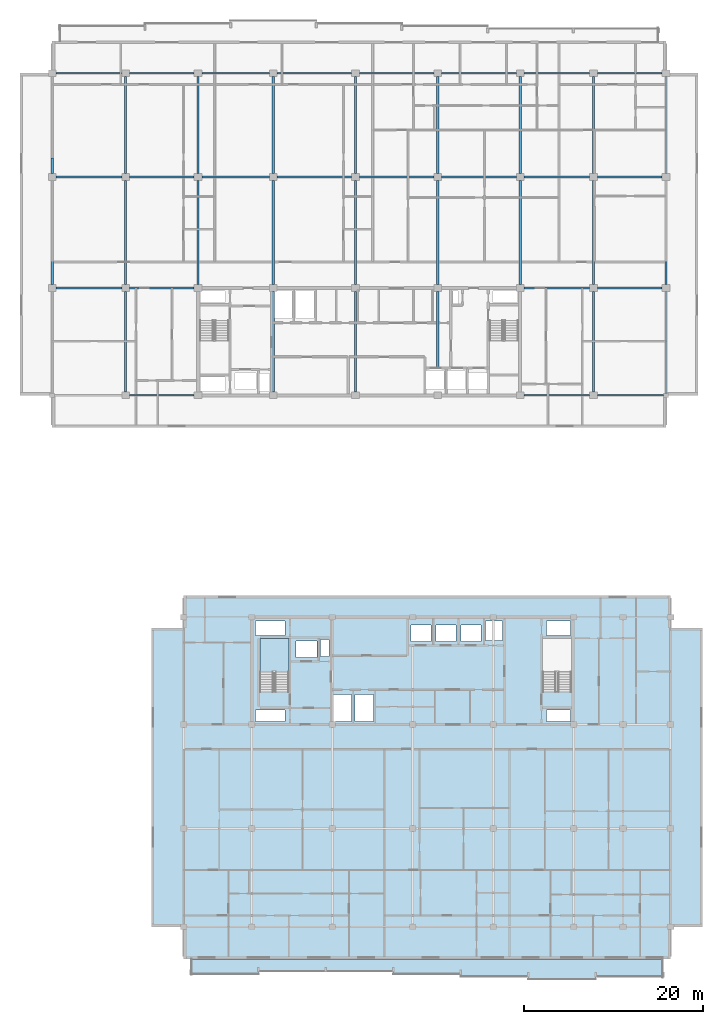
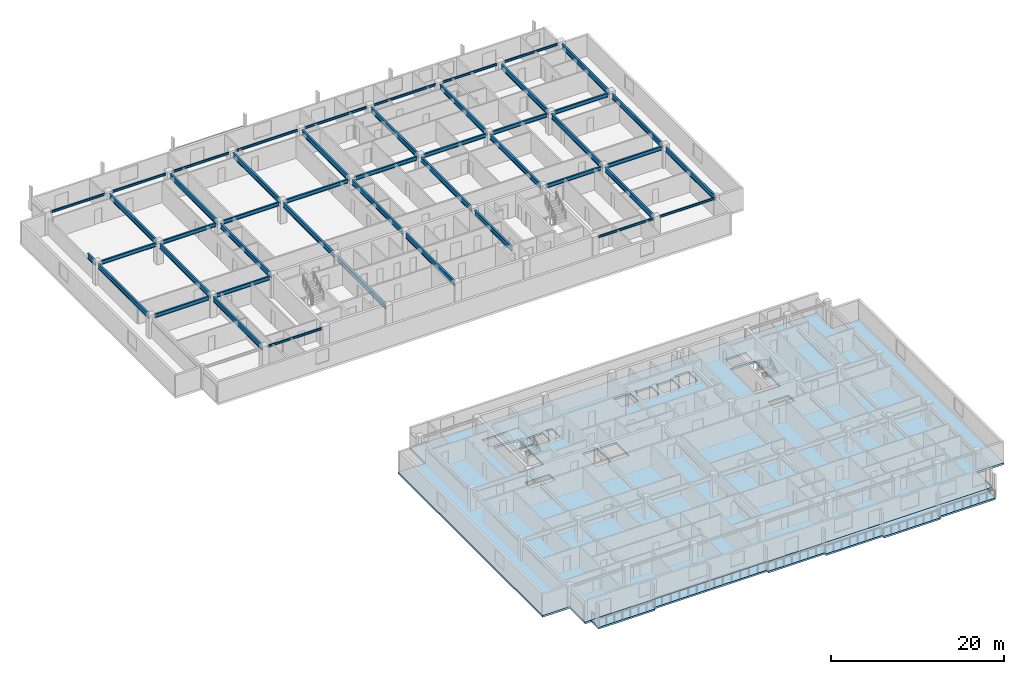
# One storey, part 2 of 22: 47 beams, 3 slabs, 1 element without a shape of its own.
"""IFC4 building model written with IfcOpenShell, lengths in metres."""

import ifcopenshell
import ifcopenshell.guid

model = None  # the IFC model being written
_history = None  # IfcOwnerHistory: only IFC2X3 demands one
_inside = {}  # id of a spatial element -> (the spatial element, [elements in it])
_under = {}  # id of a project, library or spatial element -> (it, [spatial elements below it])
_declared = {}  # id of a project -> (the project, [libraries it declares])
_typed = {}  # id of a type object -> (the type object, [elements of that type])
_made_of = {}  # id of a material, layer set ... -> (it, [elements and type objects made of it])


def new_model(schema):
    """Start an empty IFC model of exactly this schema.

    Asked for "IFC4X3", IfcOpenShell would pick the latest addendum, in which some entities
    have other attributes; the version numbers below select the first issue.
    IFC2X3 requires an IfcOwnerHistory on every rooted entity: one is made here for all.
    """
    global model, _history
    if schema == "IFC4X3":
        model = ifcopenshell.file(schema_version=(4, 3, 0, 0))
    else:
        model = ifcopenshell.file(schema=schema)
    _inside.clear()
    _under.clear()
    _declared.clear()
    _typed.clear()
    _made_of.clear()
    _history = None
    if model.schema == "IFC2X3":
        org = make("IfcOrganization", Name="unknown")
        user = make(
            "IfcPersonAndOrganization",
            ThePerson=make("IfcPerson", FamilyName="unknown"),
            TheOrganization=org,
        )
        app = make(
            "IfcApplication",
            ApplicationDeveloper=org,
            Version="unknown",
            ApplicationFullName="unknown",
            ApplicationIdentifier="unknown",
        )
        _history = make(
            "IfcOwnerHistory",
            OwningUser=user,
            OwningApplication=app,
            ChangeAction="ADDED",
            CreationDate=0,
        )
    return model


def make(cls, **values):
    """One entity of the class cls with the attributes given. An attribute that is None is left unset."""
    return model.create_entity(
        cls, **{name: value for name, value in values.items() if value is not None}
    )


def rooted(cls, **values):
    """An entity with a GlobalId (a new one), such as an element, a storey or a relation."""
    return make(cls, GlobalId=ifcopenshell.guid.new(), OwnerHistory=_history, **values)


def si_unit(unit_type, name, prefix=None):
    """IfcSIUnit, for example si_unit("LENGTHUNIT", "METRE", prefix="MILLI")."""
    return make("IfcSIUnit", UnitType=unit_type, Prefix=prefix, Name=name)


def assignment(units):
    """IfcUnitAssignment: the units of a project."""
    return None if units is None else make("IfcUnitAssignment", Units=units)


def point(xyz):
    """IfcCartesianPoint."""
    return None if xyz is None else make("IfcCartesianPoint", Coordinates=xyz)


def direction(xyz):
    """IfcDirection."""
    return None if xyz is None else make("IfcDirection", DirectionRatios=xyz)


def frame(location, z_axis=None, x_axis=None):
    """IfcAxis2Placement3D, a coordinate frame: its origin and axes. An axis left out is left unset."""
    return make(
        "IfcAxis2Placement3D",
        Location=point(location),
        Axis=direction(z_axis),
        RefDirection=direction(x_axis),
    )


def frame_2d(location, x_axis=None):
    """IfcAxis2Placement2D, a coordinate frame in the plane: its origin and x axis."""
    return make(
        "IfcAxis2Placement2D", Location=point(location), RefDirection=direction(x_axis)
    )


def origin():
    """The frame at (0, 0, 0) with its axes left unset."""
    return frame((0.0, 0.0, 0.0))


def origin_2d():
    """The frame at (0, 0) in the plane with its x axis left unset."""
    return frame_2d((0.0, 0.0))


def place(relative_to, where):
    """IfcLocalPlacement: puts the frame where relative to a parent placement (None: the world)."""
    return make(
        "IfcLocalPlacement", PlacementRelTo=relative_to, RelativePlacement=where
    )


def context(
    kind, dimensions, precision=None, world=None, true_north=None, identifier=None
):
    """IfcGeometricRepresentationContext, for example the 3D "Model" context."""
    return make(
        "IfcGeometricRepresentationContext",
        ContextIdentifier=identifier,
        ContextType=kind,
        CoordinateSpaceDimension=dimensions,
        Precision=precision,
        WorldCoordinateSystem=world,
        TrueNorth=true_north,
    )


def subcontext(parent, identifier, kind, view, scale=None):
    """IfcGeometricRepresentationSubContext, for example "Body" below "Model"."""
    return make(
        "IfcGeometricRepresentationSubContext",
        ContextIdentifier=identifier,
        ContextType=kind,
        ParentContext=parent,
        TargetScale=scale,
        TargetView=view,
    )


def project(units=None, contexts=None):
    """IfcProject with its units and contexts."""
    return rooted(
        "IfcProject",
        Name="project",
        RepresentationContexts=contexts,
        UnitsInContext=assignment(units),
    )


def spatial(cls, under=None, at=None, **own):
    """A site, building, storey or space (cls), placed at a placement, below another one or the project."""
    s = rooted(cls, ObjectPlacement=at, **own)
    if under is not None:
        _under.setdefault(under.id(), (under, []))[1].append(s)
    return s


def polyline(points):
    """IfcPolyline through the points."""
    return make("IfcPolyline", Points=[point(p) for p in points])


def profile(cls, at=None, kind="AREA", **sizes):
    """A parametric profile (cls). Its sizes go by their IFC names, for example OverallWidth=200.0."""
    return make(cls, ProfileType=kind, Position=at, **sizes)


def i_section(**sizes):
    """IfcIShapeProfileDef."""
    return profile("IfcIShapeProfileDef", **sizes)


def outline(outer, holes=None, kind="AREA"):
    """IfcArbitraryClosedProfileDef: a profile drawn as a closed curve; with holes, ...WithVoids."""
    if holes is None:
        return make("IfcArbitraryClosedProfileDef", ProfileType=kind, OuterCurve=outer)
    return make(
        "IfcArbitraryProfileDefWithVoids",
        ProfileType=kind,
        OuterCurve=outer,
        InnerCurves=holes,
    )


def extrude(swept, where, along, depth):
    """IfcExtrudedAreaSolid: the profile swept, set in the frame where, extruded along a direction by depth."""
    return make(
        "IfcExtrudedAreaSolid",
        SweptArea=swept,
        Position=where,
        ExtrudedDirection=direction(along),
        Depth=depth,
    )


def shape(context_of_items, identifier, shape_type, items):
    """IfcShapeRepresentation: the items that make up one representation, for example the "Body"."""
    return make(
        "IfcShapeRepresentation",
        ContextOfItems=context_of_items,
        RepresentationIdentifier=identifier,
        RepresentationType=shape_type,
        Items=items,
    )


def material(Name=None, Category=None):
    """IfcMaterial."""
    return make("IfcMaterial", Name=Name, Category=Category)


def layer(
    of_material, thickness, ventilated=None, Name=None, Category=None, Priority=None
):
    """IfcMaterialLayer: one layer of a wall or slab, of a material (None: an air gap)."""
    return make(
        "IfcMaterialLayer",
        Material=of_material,
        LayerThickness=thickness,
        IsVentilated=ventilated,
        Name=Name,
        Category=Category,
        Priority=Priority,
    )


def layer_set(layers, Name=None):
    """IfcMaterialLayerSet."""
    return make("IfcMaterialLayerSet", MaterialLayers=layers, LayerSetName=Name)


def material_profile(
    of_material, cross_section, Name=None, Category=None, Priority=None
):
    """IfcMaterialProfile: a cross section and its material."""
    return make(
        "IfcMaterialProfile",
        Name=Name,
        Material=of_material,
        Profile=cross_section,
        Priority=Priority,
        Category=Category,
    )


def profile_set(profiles, Name=None, composite=None):
    """IfcMaterialProfileSet."""
    return make(
        "IfcMaterialProfileSet",
        Name=Name,
        MaterialProfiles=profiles,
        CompositeProfile=composite,
    )


def made_of(thing, what):
    """Note that an element or type object is made of a material, layer set ...; save() writes the relation."""
    if what is not None:
        _made_of.setdefault(what.id(), (what, []))[1].append(thing)
    return thing


def type_object(cls, material=None, **own):
    """A type object (cls), such as IfcWallType, which elements share."""
    return made_of(rooted(cls, **own), material)


def element(
    cls,
    number,
    at=None,
    inside=None,
    cuts=None,
    type_object=None,
    material=None,
    context=None,
    identifier="Body",
    shape_type=None,
    held_by="IfcProductDefinitionShape",
    body=None,
    shapes=None,
    **own,
):
    """One element of the class cls, such as IfcWall. Its Tag is "e" and its number.

    at: its placement. inside: the storey or other place that contains it. cuts: it is an
    opening in that element (IfcRelVoidsElement). A single representation is given by context,
    identifier, shape_type and body (its items); several are given by shapes. held_by: the class
    of the entity that holds the representations. save() writes the other relations.
    """
    e = rooted(cls, Tag="e%d" % number, ObjectPlacement=at, **own)
    if body is not None:
        shapes = [shape(context, identifier, shape_type, body)]
    if shapes is not None:
        e.Representation = make(held_by, Representations=shapes)
    if inside is not None:
        _inside.setdefault(inside.id(), (inside, []))[1].append(e)
    if cuts is not None:
        rooted(
            "IfcRelVoidsElement", RelatingBuildingElement=cuts, RelatedOpeningElement=e
        )
    if type_object is not None:
        _typed.setdefault(type_object.id(), (type_object, []))[1].append(e)
    return made_of(e, material)


def aggregate(whole, parts):
    """IfcRelAggregates: a whole, such as a stair, and the parts it consists of."""
    return rooted("IfcRelAggregates", RelatingObject=whole, RelatedObjects=parts)


def save(model, path):
    """Write the relations noted so far, then the file.

    IfcRelAggregates (storeys below a building ...), IfcRelContainedInSpatialStructure (elements
    in a storey), IfcRelDefinesByType, IfcRelAssociatesMaterial and IfcRelDeclares: one each for
    every whole, place, type object, material and project.
    """
    for whole, parts in _under.values():
        aggregate(whole, parts)
    for where, things in _inside.values():
        rooted(
            "IfcRelContainedInSpatialStructure",
            RelatedElements=things,
            RelatingStructure=where,
        )
    for kind, things in _typed.values():
        rooted("IfcRelDefinesByType", RelatedObjects=things, RelatingType=kind)
    for what, things in _made_of.values():
        rooted("IfcRelAssociatesMaterial", RelatedObjects=things, RelatingMaterial=what)
    for by, libraries in _declared.values():
        rooted("IfcRelDeclares", RelatingContext=by, RelatedDefinitions=libraries)
    model.write(path)


model = new_model("IFC4")

# Units and contexts
model_context = context("Model", 3, precision=1e-05, world=origin(), true_north=direction((0.0, 1.0)))
body_context = subcontext(model_context, "Body", "Model", "MODEL_VIEW")
ifc_project = project(units=[si_unit("LENGTHUNIT", "METRE"), si_unit("AREAUNIT", "SQUARE_METRE"), si_unit("VOLUMEUNIT", "CUBIC_METRE"), si_unit("PLANEANGLEUNIT", "RADIAN"), si_unit("MASSUNIT", "GRAM", prefix="KILO")], contexts=[model_context])

# Site, building, storey
site_placement = place(None, origin())
site = spatial("IfcSite", under=ifc_project, at=site_placement, CompositionType="ELEMENT")
building_placement = place(site_placement, origin())
building = spatial("IfcBuilding", under=site, at=building_placement, Name="Korimba Cascade Residences", CompositionType="ELEMENT")
storey_placement = place(building_placement, frame((0.0, 0.0, 191.35009765625)))
storey = spatial("IfcBuildingStorey", under=building, at=storey_placement, Name="L55", CompositionType="ELEMENT", Elevation=191.35009765625)

# Beams
ifc_material_1 = material(Name="Steel S355", Category="steel")
ifc_material_profile_1 = material_profile(ifc_material_1, i_section(OverallWidth=0.165771484375, OverallDepth=0.306640625, WebThickness=0.006591796875, FlangeThickness=0.01171875, FilletRadius=0.0087890625, at=origin_2d()), Name="Steel S355")
ifc_profile_set_1 = profile_set([ifc_material_profile_1], Name="Steel S355")
beam_type_1 = type_object("IfcBeamType", Name="BM-STL-UB305", PredefinedType="SPANDREL", material=ifc_profile_set_1)
beam_1_placement = place(storey_placement, frame((68.425048828125, 55.199951171875, 2.816650390625), z_axis=(1.0, 0.0, 0.0), x_axis=(0.0, 1.0, 0.0)))
element("IfcBeam", 1, at=beam_1_placement, inside=storey, type_object=beam_type_1, Name="L55 T1 E-W Girder Y1 Bay 2", PredefinedType="SPANDREL", context=body_context, shape_type="SweptSolid", body=[
    extrude(i_section(OverallWidth=0.165771484375, OverallDepth=0.306640625, WebThickness=0.006591796875, FlangeThickness=0.01171875, FilletRadius=0.0087890625, at=origin_2d()), origin(), (0.0, 0.0, 1.0), 7.25),
])
beam_2_placement = place(storey_placement, frame((112.52490234375, 55.199951171875, 2.816650390625), z_axis=(1.0, 0.0, 0.0), x_axis=(0.0, 1.0, 0.0)))
element("IfcBeam", 2, at=beam_2_placement, inside=storey, type_object=beam_type_1, Name="L55 T1 E-W Girder Y1 Bay 7", PredefinedType="SPANDREL", context=body_context, shape_type="SweptSolid", body=[
    extrude(i_section(OverallWidth=0.165771484375, OverallDepth=0.306640625, WebThickness=0.006591796875, FlangeThickness=0.01171875, FilletRadius=0.0087890625, at=origin_2d()), origin(), (0.0, 0.0, 1.0), 7.35009765625),
])
beam_3_placement = place(storey_placement, frame((120.72509765625, 55.199951171875, 2.816650390625), z_axis=(1.0, 0.0, 0.0), x_axis=(0.0, 1.0, 0.0)))
element("IfcBeam", 3, at=beam_3_placement, inside=storey, type_object=beam_type_1, Name="L55 T1 E-W Girder Y1 Bay 8", PredefinedType="SPANDREL", context=body_context, shape_type="SweptSolid", body=[
    extrude(i_section(OverallWidth=0.165771484375, OverallDepth=0.306640625, WebThickness=0.006591796875, FlangeThickness=0.01171875, FilletRadius=0.0087890625, at=origin_2d()), origin(), (0.0, 0.0, 1.0), 7.39990234375),
])
beam_4_placement = place(storey_placement, frame((60.22509765625, 91.199951171875, 2.816650390625), z_axis=(1.0, 0.0, 0.0), x_axis=(0.0, 1.0, 0.0)))
element("IfcBeam", 4, at=beam_4_placement, inside=storey, type_object=beam_type_1, Name="L55 T1 E-W Girder Y4 Bay 1", PredefinedType="SPANDREL", context=body_context, shape_type="SweptSolid", body=[
    extrude(i_section(OverallWidth=0.165771484375, OverallDepth=0.306640625, WebThickness=0.006591796875, FlangeThickness=0.01171875, FilletRadius=0.0087890625, at=origin_2d()), origin(), (0.0, 0.0, 1.0), 7.349853515625),
])
beam_5_placement = place(storey_placement, frame((68.425048828125, 91.199951171875, 2.816650390625), z_axis=(1.0, 0.0, 0.0), x_axis=(0.0, 1.0, 0.0)))
element("IfcBeam", 5, at=beam_5_placement, inside=storey, type_object=beam_type_1, Name="L55 T1 E-W Girder Y4 Bay 2", PredefinedType="SPANDREL", context=body_context, shape_type="SweptSolid", body=[
    extrude(i_section(OverallWidth=0.165771484375, OverallDepth=0.306640625, WebThickness=0.006591796875, FlangeThickness=0.01171875, FilletRadius=0.0087890625, at=origin_2d()), origin(), (0.0, 0.0, 1.0), 7.25),
])
beam_6_placement = place(storey_placement, frame((76.52490234375, 91.199951171875, 2.816650390625), z_axis=(1.0, 0.0, 0.0), x_axis=(0.0, 1.0, 0.0)))
element("IfcBeam", 6, at=beam_6_placement, inside=storey, type_object=beam_type_1, Name="L55 T1 E-W Girder Y4 Bay 3", PredefinedType="SPANDREL", context=body_context, shape_type="SweptSolid", body=[
    extrude(i_section(OverallWidth=0.165771484375, OverallDepth=0.306640625, WebThickness=0.006591796875, FlangeThickness=0.01171875, FilletRadius=0.0087890625, at=origin_2d()), origin(), (0.0, 0.0, 1.0), 7.550048828125),
])
beam_7_placement = place(storey_placement, frame((84.925048828125, 91.199951171875, 2.816650390625), z_axis=(1.0, 0.0, 0.0), x_axis=(0.0, 1.0, 0.0)))
element("IfcBeam", 7, at=beam_7_placement, inside=storey, type_object=beam_type_1, Name="L55 T1 E-W Girder Y4 Bay 4", PredefinedType="SPANDREL", context=body_context, shape_type="SweptSolid", body=[
    extrude(i_section(OverallWidth=0.165771484375, OverallDepth=0.306640625, WebThickness=0.006591796875, FlangeThickness=0.01171875, FilletRadius=0.0087890625, at=origin_2d()), origin(), (0.0, 0.0, 1.0), 8.349853515625),
])
for number, where, z_axis, x_axis, name in (
    (8, (94.125, 91.199951171875, 2.816650390625), (1.0, 0.0, 0.0), (0.0, 1.0, 0.0), "L55 T1 E-W Girder Y4 Bay 5"),
    (9, (103.324951171875, 91.199951171875, 2.816650390625), (1.0, 0.0, 0.0), (0.0, 1.0, 0.0), "L55 T1 E-W Girder Y4 Bay 6"),
):
    element("IfcBeam", number, at=place(storey_placement, frame(where, z_axis=z_axis, x_axis=x_axis)), inside=storey, type_object=beam_type_1, Name=name, PredefinedType="SPANDREL", context=body_context, shape_type="SweptSolid", body=[
        extrude(i_section(OverallWidth=0.165771484375, OverallDepth=0.306640625, WebThickness=0.006591796875, FlangeThickness=0.01171875, FilletRadius=0.0087890625, at=origin_2d()), origin(), (0.0, 0.0, 1.0), 8.35009765625),
    ])
beam_8_placement = place(storey_placement, frame((112.52490234375, 91.199951171875, 2.816650390625), z_axis=(1.0, 0.0, 0.0), x_axis=(0.0, 1.0, 0.0)))
element("IfcBeam", 10, at=beam_8_placement, inside=storey, type_object=beam_type_1, Name="L55 T1 E-W Girder Y4 Bay 7", PredefinedType="SPANDREL", context=body_context, shape_type="SweptSolid", body=[
    extrude(i_section(OverallWidth=0.165771484375, OverallDepth=0.306640625, WebThickness=0.006591796875, FlangeThickness=0.01171875, FilletRadius=0.0087890625, at=origin_2d()), origin(), (0.0, 0.0, 1.0), 7.35009765625),
])
beam_9_placement = place(storey_placement, frame((120.72509765625, 91.199951171875, 2.816650390625), z_axis=(1.0, 0.0, 0.0), x_axis=(0.0, 1.0, 0.0)))
element("IfcBeam", 11, at=beam_9_placement, inside=storey, type_object=beam_type_1, Name="L55 T1 E-W Girder Y4 Bay 8", PredefinedType="SPANDREL", context=body_context, shape_type="SweptSolid", body=[
    extrude(i_section(OverallWidth=0.165771484375, OverallDepth=0.306640625, WebThickness=0.006591796875, FlangeThickness=0.01171875, FilletRadius=0.0087890625, at=origin_2d()), origin(), (0.0, 0.0, 1.0), 7.25),
])
ifc_material_profile_2 = material_profile(ifc_material_1, i_section(OverallWidth=0.2099609375, OverallDepth=0.53662109375, WebThickness=0.0107421875, FlangeThickness=0.017333984375, FilletRadius=0.0126953125, at=origin_2d()), Name="Steel S355")
ifc_profile_set_2 = profile_set([ifc_material_profile_2], Name="Steel S355")
beam_type_2 = type_object("IfcBeamType", Name="BM-STL-UB533", PredefinedType="BEAM", material=ifc_profile_set_2)
beam_10_placement = place(storey_placement, frame((60.22509765625, 67.199951171875, 2.701416015625), z_axis=(1.0, 0.0, 0.0), x_axis=(0.0, 1.0, 0.0)))
element("IfcBeam", 12, at=beam_10_placement, inside=storey, type_object=beam_type_2, Name="L55 T1 E-W Girder Y2 Bay 1", PredefinedType="BEAM", context=body_context, shape_type="SweptSolid", body=[
    extrude(i_section(OverallWidth=0.2099609375, OverallDepth=0.53662109375, WebThickness=0.0107421875, FlangeThickness=0.017333984375, FilletRadius=0.0126953125, at=origin_2d()), origin(), (0.0, 0.0, 1.0), 7.349853515625),
])
beam_11_placement = place(storey_placement, frame((68.425048828125, 67.199951171875, 2.701416015625), z_axis=(1.0, 0.0, 0.0), x_axis=(0.0, 1.0, 0.0)))
element("IfcBeam", 13, at=beam_11_placement, inside=storey, type_object=beam_type_2, Name="L55 T1 E-W Girder Y2 Bay 2", PredefinedType="BEAM", context=body_context, shape_type="SweptSolid", body=[
    extrude(i_section(OverallWidth=0.2099609375, OverallDepth=0.53662109375, WebThickness=0.0107421875, FlangeThickness=0.017333984375, FilletRadius=0.0126953125, at=origin_2d()), origin(), (0.0, 0.0, 1.0), 7.25),
])
beam_12_placement = place(storey_placement, frame((112.52490234375, 67.199951171875, 2.701416015625), z_axis=(1.0, 0.0, 0.0), x_axis=(0.0, 1.0, 0.0)))
element("IfcBeam", 14, at=beam_12_placement, inside=storey, type_object=beam_type_2, Name="L55 T1 E-W Girder Y2 Bay 7", PredefinedType="BEAM", context=body_context, shape_type="SweptSolid", body=[
    extrude(i_section(OverallWidth=0.2099609375, OverallDepth=0.53662109375, WebThickness=0.0107421875, FlangeThickness=0.017333984375, FilletRadius=0.0126953125, at=origin_2d()), origin(), (0.0, 0.0, 1.0), 7.35009765625),
])
beam_13_placement = place(storey_placement, frame((120.72509765625, 67.199951171875, 2.701416015625), z_axis=(1.0, 0.0, 0.0), x_axis=(0.0, 1.0, 0.0)))
element("IfcBeam", 15, at=beam_13_placement, inside=storey, type_object=beam_type_2, Name="L55 T1 E-W Girder Y2 Bay 8", PredefinedType="BEAM", context=body_context, shape_type="SweptSolid", body=[
    extrude(i_section(OverallWidth=0.2099609375, OverallDepth=0.53662109375, WebThickness=0.0107421875, FlangeThickness=0.017333984375, FilletRadius=0.0126953125, at=origin_2d()), origin(), (0.0, 0.0, 1.0), 7.25),
])
beam_14_placement = place(storey_placement, frame((60.22509765625, 79.60009765625, 2.701416015625), z_axis=(1.0, 0.0, 0.0), x_axis=(0.0, 1.0, 0.0)))
element("IfcBeam", 16, at=beam_14_placement, inside=storey, type_object=beam_type_2, Name="L55 T1 E-W Girder Y3 Bay 1", PredefinedType="BEAM", context=body_context, shape_type="SweptSolid", body=[
    extrude(i_section(OverallWidth=0.2099609375, OverallDepth=0.53662109375, WebThickness=0.0107421875, FlangeThickness=0.017333984375, FilletRadius=0.0126953125, at=origin_2d()), origin(), (0.0, 0.0, 1.0), 7.349853515625),
])
beam_15_placement = place(storey_placement, frame((68.425048828125, 79.60009765625, 2.701416015625), z_axis=(1.0, 0.0, 0.0), x_axis=(0.0, 1.0, 0.0)))
element("IfcBeam", 17, at=beam_15_placement, inside=storey, type_object=beam_type_2, Name="L55 T1 E-W Girder Y3 Bay 2", PredefinedType="BEAM", context=body_context, shape_type="SweptSolid", body=[
    extrude(i_section(OverallWidth=0.2099609375, OverallDepth=0.53662109375, WebThickness=0.0107421875, FlangeThickness=0.017333984375, FilletRadius=0.0126953125, at=origin_2d()), origin(), (0.0, 0.0, 1.0), 7.25),
])
beam_16_placement = place(storey_placement, frame((76.52490234375, 79.60009765625, 2.701416015625), z_axis=(1.0, 0.0, 0.0), x_axis=(0.0, 1.0, 0.0)))
element("IfcBeam", 18, at=beam_16_placement, inside=storey, type_object=beam_type_2, Name="L55 T1 E-W Girder Y3 Bay 3", PredefinedType="BEAM", context=body_context, shape_type="SweptSolid", body=[
    extrude(i_section(OverallWidth=0.2099609375, OverallDepth=0.53662109375, WebThickness=0.0107421875, FlangeThickness=0.017333984375, FilletRadius=0.0126953125, at=origin_2d()), origin(), (0.0, 0.0, 1.0), 7.550048828125),
])
beam_17_placement = place(storey_placement, frame((84.925048828125, 79.60009765625, 2.701416015625), z_axis=(1.0, 0.0, 0.0), x_axis=(0.0, 1.0, 0.0)))
element("IfcBeam", 19, at=beam_17_placement, inside=storey, type_object=beam_type_2, Name="L55 T1 E-W Girder Y3 Bay 4", PredefinedType="BEAM", context=body_context, shape_type="SweptSolid", body=[
    extrude(i_section(OverallWidth=0.2099609375, OverallDepth=0.53662109375, WebThickness=0.0107421875, FlangeThickness=0.017333984375, FilletRadius=0.0126953125, at=origin_2d()), origin(), (0.0, 0.0, 1.0), 8.349853515625),
])
for number, where, z_axis, x_axis, name in (
    (20, (94.125, 79.60009765625, 2.701416015625), (1.0, 0.0, 0.0), (0.0, 1.0, 0.0), "L55 T1 E-W Girder Y3 Bay 5"),
    (21, (103.324951171875, 79.60009765625, 2.701416015625), (1.0, 0.0, 0.0), (0.0, 1.0, 0.0), "L55 T1 E-W Girder Y3 Bay 6"),
):
    element("IfcBeam", number, at=place(storey_placement, frame(where, z_axis=z_axis, x_axis=x_axis)), inside=storey, type_object=beam_type_2, Name=name, PredefinedType="BEAM", context=body_context, shape_type="SweptSolid", body=[
        extrude(i_section(OverallWidth=0.2099609375, OverallDepth=0.53662109375, WebThickness=0.0107421875, FlangeThickness=0.017333984375, FilletRadius=0.0126953125, at=origin_2d()), origin(), (0.0, 0.0, 1.0), 8.35009765625),
    ])
beam_18_placement = place(storey_placement, frame((112.52490234375, 79.60009765625, 2.701416015625), z_axis=(1.0, 0.0, 0.0), x_axis=(0.0, 1.0, 0.0)))
element("IfcBeam", 22, at=beam_18_placement, inside=storey, type_object=beam_type_2, Name="L55 T1 E-W Girder Y3 Bay 7", PredefinedType="BEAM", context=body_context, shape_type="SweptSolid", body=[
    extrude(i_section(OverallWidth=0.2099609375, OverallDepth=0.53662109375, WebThickness=0.0107421875, FlangeThickness=0.017333984375, FilletRadius=0.0126953125, at=origin_2d()), origin(), (0.0, 0.0, 1.0), 7.35009765625),
])
beam_19_placement = place(storey_placement, frame((120.72509765625, 79.60009765625, 2.701416015625), z_axis=(1.0, 0.0, 0.0), x_axis=(0.0, 1.0, 0.0)))
element("IfcBeam", 23, at=beam_19_placement, inside=storey, type_object=beam_type_2, Name="L55 T1 E-W Girder Y3 Bay 8", PredefinedType="BEAM", context=body_context, shape_type="SweptSolid", body=[
    extrude(i_section(OverallWidth=0.2099609375, OverallDepth=0.53662109375, WebThickness=0.0107421875, FlangeThickness=0.017333984375, FilletRadius=0.0126953125, at=origin_2d()), origin(), (0.0, 0.0, 1.0), 7.25),
])
ifc_material_profile_3 = material_profile(ifc_material_1, i_section(OverallWidth=0.255859375, OverallDepth=0.69287109375, WebThickness=0.014404296875, FlangeThickness=0.023681640625, FilletRadius=0.01513671875, at=origin_2d()), Name="Steel S355")
ifc_profile_set_3 = profile_set([ifc_material_profile_3], Name="Steel S355")
beam_type_3 = type_object("IfcBeamType", Name="BM-STL-UB686", PredefinedType="BEAM", material=ifc_profile_set_3)
beam_20_placement = place(storey_placement, frame((59.800048828125, 67.574951171875, 2.623291015625), z_axis=(0.0, 1.0, 0.0), x_axis=(-1.0, 0.0, 0.0)))
element("IfcBeam", 24, at=beam_20_placement, inside=storey, type_object=beam_type_3, Name="L55 T1 N-S Girder X1 Seg 2", PredefinedType="BEAM", context=body_context, shape_type="SweptSolid", body=[
    extrude(i_section(OverallWidth=0.255859375, OverallDepth=0.69287109375, WebThickness=0.014404296875, FlangeThickness=0.023681640625, FilletRadius=0.01513671875, at=origin_2d()), origin(), (0.0, 0.0, 1.0), 11.650146484375),
])
beam_21_placement = place(storey_placement, frame((59.800048828125, 79.97509765625, 2.623291015625), z_axis=(0.0, 1.0, 0.0), x_axis=(-1.0, 0.0, 0.0)))
element("IfcBeam", 25, at=beam_21_placement, inside=storey, type_object=beam_type_3, Name="L55 T1 N-S Girder X1 Seg 3", PredefinedType="BEAM", context=body_context, shape_type="SweptSolid", body=[
    extrude(i_section(OverallWidth=0.255859375, OverallDepth=0.69287109375, WebThickness=0.014404296875, FlangeThickness=0.023681640625, FilletRadius=0.01513671875, at=origin_2d()), origin(), (0.0, 0.0, 1.0), 1.724853515625),
])
beam_22_placement = place(storey_placement, frame((68.0, 55.574951171875, 2.623291015625), z_axis=(0.0, 1.0, 0.0), x_axis=(-1.0, 0.0, 0.0)))
element("IfcBeam", 26, at=beam_22_placement, inside=storey, type_object=beam_type_3, Name="L55 T1 N-S Girder X2 Seg 1", PredefinedType="BEAM", context=body_context, shape_type="SweptSolid", body=[
    extrude(i_section(OverallWidth=0.255859375, OverallDepth=0.69287109375, WebThickness=0.014404296875, FlangeThickness=0.023681640625, FilletRadius=0.01513671875, at=origin_2d()), origin(), (0.0, 0.0, 1.0), 11.25),
])
beam_23_placement = place(storey_placement, frame((68.0, 67.574951171875, 2.623291015625), z_axis=(0.0, 1.0, 0.0), x_axis=(-1.0, 0.0, 0.0)))
element("IfcBeam", 27, at=beam_23_placement, inside=storey, type_object=beam_type_3, Name="L55 T1 N-S Girder X2 Seg 2", PredefinedType="BEAM", context=body_context, shape_type="SweptSolid", body=[
    extrude(i_section(OverallWidth=0.255859375, OverallDepth=0.69287109375, WebThickness=0.014404296875, FlangeThickness=0.023681640625, FilletRadius=0.01513671875, at=origin_2d()), origin(), (0.0, 0.0, 1.0), 11.650146484375),
])
beam_24_placement = place(storey_placement, frame((68.0, 79.97509765625, 2.623291015625), z_axis=(0.0, 1.0, 0.0), x_axis=(-1.0, 0.0, 0.0)))
element("IfcBeam", 28, at=beam_24_placement, inside=storey, type_object=beam_type_3, Name="L55 T1 N-S Girder X2 Seg 3", PredefinedType="BEAM", context=body_context, shape_type="SweptSolid", body=[
    extrude(i_section(OverallWidth=0.255859375, OverallDepth=0.69287109375, WebThickness=0.014404296875, FlangeThickness=0.023681640625, FilletRadius=0.01513671875, at=origin_2d()), origin(), (0.0, 0.0, 1.0), 10.849853515625),
])
beam_25_placement = place(storey_placement, frame((76.10009765625, 67.574951171875, 2.623291015625), z_axis=(0.0, 1.0, 0.0), x_axis=(-1.0, 0.0, 0.0)))
element("IfcBeam", 29, at=beam_25_placement, inside=storey, type_object=beam_type_3, Name="L55 T1 N-S Girder X3 Seg 2", PredefinedType="BEAM", context=body_context, shape_type="SweptSolid", body=[
    extrude(i_section(OverallWidth=0.255859375, OverallDepth=0.69287109375, WebThickness=0.014404296875, FlangeThickness=0.023681640625, FilletRadius=0.01513671875, at=origin_2d()), origin(), (0.0, 0.0, 1.0), 11.650146484375),
])
beam_26_placement = place(storey_placement, frame((76.10009765625, 79.97509765625, 2.623291015625), z_axis=(0.0, 1.0, 0.0), x_axis=(-1.0, 0.0, 0.0)))
element("IfcBeam", 30, at=beam_26_placement, inside=storey, type_object=beam_type_3, Name="L55 T1 N-S Girder X3 Seg 3", PredefinedType="BEAM", context=body_context, shape_type="SweptSolid", body=[
    extrude(i_section(OverallWidth=0.255859375, OverallDepth=0.69287109375, WebThickness=0.014404296875, FlangeThickness=0.023681640625, FilletRadius=0.01513671875, at=origin_2d()), origin(), (0.0, 0.0, 1.0), 10.849853515625),
])
beam_27_placement = place(storey_placement, frame((84.5, 55.574951171875, 2.623291015625), z_axis=(0.0, 1.0, 0.0), x_axis=(-1.0, 0.0, 0.0)))
element("IfcBeam", 31, at=beam_27_placement, inside=storey, type_object=beam_type_3, Name="L55 T1 N-S Girder X4 Seg 1", PredefinedType="BEAM", context=body_context, shape_type="SweptSolid", body=[
    extrude(i_section(OverallWidth=0.255859375, OverallDepth=0.69287109375, WebThickness=0.014404296875, FlangeThickness=0.023681640625, FilletRadius=0.01513671875, at=origin_2d()), origin(), (0.0, 0.0, 1.0), 11.25),
])
beam_28_placement = place(storey_placement, frame((84.5, 67.574951171875, 2.623291015625), z_axis=(0.0, 1.0, 0.0), x_axis=(-1.0, 0.0, 0.0)))
element("IfcBeam", 32, at=beam_28_placement, inside=storey, type_object=beam_type_3, Name="L55 T1 N-S Girder X4 Seg 2", PredefinedType="BEAM", context=body_context, shape_type="SweptSolid", body=[
    extrude(i_section(OverallWidth=0.255859375, OverallDepth=0.69287109375, WebThickness=0.014404296875, FlangeThickness=0.023681640625, FilletRadius=0.01513671875, at=origin_2d()), origin(), (0.0, 0.0, 1.0), 11.650146484375),
])
beam_29_placement = place(storey_placement, frame((84.5, 79.97509765625, 2.623291015625), z_axis=(0.0, 1.0, 0.0), x_axis=(-1.0, 0.0, 0.0)))
element("IfcBeam", 33, at=beam_29_placement, inside=storey, type_object=beam_type_3, Name="L55 T1 N-S Girder X4 Seg 3", PredefinedType="BEAM", context=body_context, shape_type="SweptSolid", body=[
    extrude(i_section(OverallWidth=0.255859375, OverallDepth=0.69287109375, WebThickness=0.014404296875, FlangeThickness=0.023681640625, FilletRadius=0.01513671875, at=origin_2d()), origin(), (0.0, 0.0, 1.0), 10.849853515625),
])
beam_30_placement = place(storey_placement, frame((93.699951171875, 55.574951171875, 2.623291015625), z_axis=(0.0, 1.0, 0.0), x_axis=(-1.0, 0.0, 0.0)))
element("IfcBeam", 34, at=beam_30_placement, inside=storey, type_object=beam_type_3, Name="L55 T1 N-S Girder X5 Seg 1", PredefinedType="BEAM", context=body_context, shape_type="SweptSolid", body=[
    extrude(i_section(OverallWidth=0.255859375, OverallDepth=0.69287109375, WebThickness=0.014404296875, FlangeThickness=0.023681640625, FilletRadius=0.01513671875, at=origin_2d()), origin(), (0.0, 0.0, 1.0), 11.25),
])
beam_31_placement = place(storey_placement, frame((93.699951171875, 67.574951171875, 2.623291015625), z_axis=(0.0, 1.0, 0.0), x_axis=(-1.0, 0.0, 0.0)))
element("IfcBeam", 35, at=beam_31_placement, inside=storey, type_object=beam_type_3, Name="L55 T1 N-S Girder X5 Seg 2", PredefinedType="BEAM", context=body_context, shape_type="SweptSolid", body=[
    extrude(i_section(OverallWidth=0.255859375, OverallDepth=0.69287109375, WebThickness=0.014404296875, FlangeThickness=0.023681640625, FilletRadius=0.01513671875, at=origin_2d()), origin(), (0.0, 0.0, 1.0), 11.650146484375),
])
beam_32_placement = place(storey_placement, frame((93.699951171875, 79.97509765625, 2.623291015625), z_axis=(0.0, 1.0, 0.0), x_axis=(-1.0, 0.0, 0.0)))
element("IfcBeam", 36, at=beam_32_placement, inside=storey, type_object=beam_type_3, Name="L55 T1 N-S Girder X5 Seg 3", PredefinedType="BEAM", context=body_context, shape_type="SweptSolid", body=[
    extrude(i_section(OverallWidth=0.255859375, OverallDepth=0.69287109375, WebThickness=0.014404296875, FlangeThickness=0.023681640625, FilletRadius=0.01513671875, at=origin_2d()), origin(), (0.0, 0.0, 1.0), 10.849853515625),
])
beam_33_placement = place(storey_placement, frame((102.89990234375, 58.260009765625, 2.623291015625), z_axis=(0.0, 1.0, 0.0), x_axis=(-1.0, 0.0, 0.0)))
element("IfcBeam", 37, at=beam_33_placement, inside=storey, type_object=beam_type_3, Name="L55 T1 N-S Girder X6 Seg 1", PredefinedType="BEAM", context=body_context, shape_type="SweptSolid", body=[
    extrude(i_section(OverallWidth=0.255859375, OverallDepth=0.69287109375, WebThickness=0.014404296875, FlangeThickness=0.023681640625, FilletRadius=0.01513671875, at=origin_2d()), origin(), (0.0, 0.0, 1.0), 8.56494140625),
])
beam_34_placement = place(storey_placement, frame((102.89990234375, 67.574951171875, 2.623291015625), z_axis=(0.0, 1.0, 0.0), x_axis=(-1.0, 0.0, 0.0)))
element("IfcBeam", 38, at=beam_34_placement, inside=storey, type_object=beam_type_3, Name="L55 T1 N-S Girder X6 Seg 2", PredefinedType="BEAM", context=body_context, shape_type="SweptSolid", body=[
    extrude(i_section(OverallWidth=0.255859375, OverallDepth=0.69287109375, WebThickness=0.014404296875, FlangeThickness=0.023681640625, FilletRadius=0.01513671875, at=origin_2d()), origin(), (0.0, 0.0, 1.0), 11.650146484375),
])
beam_35_placement = place(storey_placement, frame((102.89990234375, 79.97509765625, 2.623291015625), z_axis=(0.0, 1.0, 0.0), x_axis=(-1.0, 0.0, 0.0)))
element("IfcBeam", 39, at=beam_35_placement, inside=storey, type_object=beam_type_3, Name="L55 T1 N-S Girder X6 Seg 3", PredefinedType="BEAM", context=body_context, shape_type="SweptSolid", body=[
    extrude(i_section(OverallWidth=0.255859375, OverallDepth=0.69287109375, WebThickness=0.014404296875, FlangeThickness=0.023681640625, FilletRadius=0.01513671875, at=origin_2d()), origin(), (0.0, 0.0, 1.0), 10.849853515625),
])
beam_36_placement = place(storey_placement, frame((112.10009765625, 67.574951171875, 2.623291015625), z_axis=(0.0, 1.0, 0.0), x_axis=(-1.0, 0.0, 0.0)))
element("IfcBeam", 40, at=beam_36_placement, inside=storey, type_object=beam_type_3, Name="L55 T1 N-S Girder X7 Seg 2", PredefinedType="BEAM", context=body_context, shape_type="SweptSolid", body=[
    extrude(i_section(OverallWidth=0.255859375, OverallDepth=0.69287109375, WebThickness=0.014404296875, FlangeThickness=0.023681640625, FilletRadius=0.01513671875, at=origin_2d()), origin(), (0.0, 0.0, 1.0), 11.650146484375),
])
beam_37_placement = place(storey_placement, frame((112.10009765625, 79.97509765625, 2.623291015625), z_axis=(0.0, 1.0, 0.0), x_axis=(-1.0, 0.0, 0.0)))
element("IfcBeam", 41, at=beam_37_placement, inside=storey, type_object=beam_type_3, Name="L55 T1 N-S Girder X7 Seg 3", PredefinedType="BEAM", context=body_context, shape_type="SweptSolid", body=[
    extrude(i_section(OverallWidth=0.255859375, OverallDepth=0.69287109375, WebThickness=0.014404296875, FlangeThickness=0.023681640625, FilletRadius=0.01513671875, at=origin_2d()), origin(), (0.0, 0.0, 1.0), 10.849853515625),
])
beam_38_placement = place(storey_placement, frame((120.300048828125, 55.574951171875, 2.623291015625), z_axis=(0.0, 1.0, 0.0), x_axis=(-1.0, 0.0, 0.0)))
element("IfcBeam", 42, at=beam_38_placement, inside=storey, type_object=beam_type_3, Name="L55 T1 N-S Girder X8 Seg 1", PredefinedType="BEAM", context=body_context, shape_type="SweptSolid", body=[
    extrude(i_section(OverallWidth=0.255859375, OverallDepth=0.69287109375, WebThickness=0.014404296875, FlangeThickness=0.023681640625, FilletRadius=0.01513671875, at=origin_2d()), origin(), (0.0, 0.0, 1.0), 11.25),
])
beam_39_placement = place(storey_placement, frame((120.300048828125, 67.574951171875, 2.623291015625), z_axis=(0.0, 1.0, 0.0), x_axis=(-1.0, 0.0, 0.0)))
element("IfcBeam", 43, at=beam_39_placement, inside=storey, type_object=beam_type_3, Name="L55 T1 N-S Girder X8 Seg 2", PredefinedType="BEAM", context=body_context, shape_type="SweptSolid", body=[
    extrude(i_section(OverallWidth=0.255859375, OverallDepth=0.69287109375, WebThickness=0.014404296875, FlangeThickness=0.023681640625, FilletRadius=0.01513671875, at=origin_2d()), origin(), (0.0, 0.0, 1.0), 11.650146484375),
])
beam_40_placement = place(storey_placement, frame((120.300048828125, 79.97509765625, 2.623291015625), z_axis=(0.0, 1.0, 0.0), x_axis=(-1.0, 0.0, 0.0)))
element("IfcBeam", 44, at=beam_40_placement, inside=storey, type_object=beam_type_3, Name="L55 T1 N-S Girder X8 Seg 3", PredefinedType="BEAM", context=body_context, shape_type="SweptSolid", body=[
    extrude(i_section(OverallWidth=0.255859375, OverallDepth=0.69287109375, WebThickness=0.014404296875, FlangeThickness=0.023681640625, FilletRadius=0.01513671875, at=origin_2d()), origin(), (0.0, 0.0, 1.0), 10.849853515625),
])
beam_41_placement = place(storey_placement, frame((128.39990234375, 55.425048828125, 2.623291015625), z_axis=(0.0, 1.0, 0.0), x_axis=(-1.0, 0.0, 0.0)))
element("IfcBeam", 45, at=beam_41_placement, inside=storey, type_object=beam_type_3, Name="L55 T1 N-S Girder X9 Seg 1", PredefinedType="BEAM", context=body_context, shape_type="SweptSolid", body=[
    extrude(i_section(OverallWidth=0.255859375, OverallDepth=0.69287109375, WebThickness=0.014404296875, FlangeThickness=0.023681640625, FilletRadius=0.01513671875, at=origin_2d()), origin(), (0.0, 0.0, 1.0), 11.39990234375),
])
beam_42_placement = place(storey_placement, frame((128.39990234375, 67.574951171875, 2.623291015625), z_axis=(0.0, 1.0, 0.0), x_axis=(-1.0, 0.0, 0.0)))
element("IfcBeam", 46, at=beam_42_placement, inside=storey, type_object=beam_type_3, Name="L55 T1 N-S Girder X9 Seg 2", PredefinedType="BEAM", context=body_context, shape_type="SweptSolid", body=[
    extrude(i_section(OverallWidth=0.255859375, OverallDepth=0.69287109375, WebThickness=0.014404296875, FlangeThickness=0.023681640625, FilletRadius=0.01513671875, at=origin_2d()), origin(), (0.0, 0.0, 1.0), 11.650146484375),
])
beam_43_placement = place(storey_placement, frame((128.39990234375, 79.97509765625, 2.623291015625), z_axis=(0.0, 1.0, 0.0), x_axis=(-1.0, 0.0, 0.0)))
element("IfcBeam", 47, at=beam_43_placement, inside=storey, type_object=beam_type_3, Name="L55 T1 N-S Girder X9 Seg 3", PredefinedType="BEAM", context=body_context, shape_type="SweptSolid", body=[
    extrude(i_section(OverallWidth=0.255859375, OverallDepth=0.69287109375, WebThickness=0.014404296875, FlangeThickness=0.023681640625, FilletRadius=0.01513671875, at=origin_2d()), origin(), (0.0, 0.0, 1.0), 10.849853515625),
])

# Stair, slab
ifc_material_2 = material(Name="Concrete C50/60", Category="concrete")
stair_type = type_object("IfcStairType", Name="STR-E1-18R-1806", PredefinedType="HALF_TURN_STAIR", material=ifc_material_2)
stair_placement = place(storey_placement, origin())
stair = element("IfcStair", 48, at=stair_placement, inside=storey, type_object=stair_type, Name="L55 Tower 2 West Fire Stair ST-E1", PredefinedType="HALF_TURN_STAIR")
ifc_layer_1 = layer(ifc_material_2, 0.199951171875)
ifc_layer_set_1 = layer_set([ifc_layer_1], Name="Concrete C50/60")
slab_type_1 = type_object("IfcSlabType", Name="SLB-LND-220", PredefinedType="LANDING", material=ifc_layer_set_1)
slab_1_placement = place(storey_placement, frame((0.0, 0.0, 1.4248046875)))
slab_1 = element("IfcSlab", 49, at=slab_1_placement, type_object=slab_type_1, Name="ST-E1 landing 1", PredefinedType="LANDING", context=body_context, shape_type="SweptSolid", body=[
    extrude(outline(polyline([(86.239990234375, 24.2900390625), (86.239990234375, 28.0), (83.0, 28.0), (83.0, 24.2900390625), (86.239990234375, 24.2900390625)])), origin(), (0.0, 0.0, 1.0), 0.2001953125),
])
aggregate(stair, [slab_1])

# Slabs
ifc_material_3 = material(Name="Precast concrete C40/50", Category="concrete")
ifc_layer_2 = layer(ifc_material_3, 0.239990234375)
ifc_layer_set_2 = layer_set([ifc_layer_2], Name="Precast concrete C40/50")
slab_type_2 = type_object("IfcSlabType", Name="SLB-LOG-240", PredefinedType="FLOOR", material=ifc_layer_set_2)
slab_2_placement = place(storey_placement, frame((0.0, 0.0, -0.239990234375)))
element("IfcSlab", 50, at=slab_2_placement, inside=storey, type_object=slab_type_2, Name="L55 Tower 2 South Loggia Slab", PredefinedType="FLOOR", context=body_context, shape_type="SweptSolid", body=[
    extrude(outline(polyline([(75.300048828125, -9.550048828125), (82.843017578125, -9.550048828125), (82.843017578125, -9.25), (97.9287109375, -9.25), (97.9287109375, -9.550048828125), (105.471435546875, -9.550048828125), (105.471435546875, -9.85009765625), (113.014404296875, -9.85009765625), (113.014404296875, -10.14990234375), (120.55712890625, -10.14990234375), (120.55712890625, -9.85009765625), (128.10009765625, -9.85009765625), (128.10009765625, -7.800048828125), (75.300048828125, -7.800048828125), (75.300048828125, -9.550048828125)])), origin(), (0.0, 0.0, 1.0), 0.239990234375),
])
ifc_layer_3 = layer(ifc_material_2, 0.280029296875)
ifc_layer_set_3 = layer_set([ifc_layer_3], Name="Concrete C50/60")
slab_type_3 = type_object("IfcSlabType", Name="SLB-TYP-280", PredefinedType="FLOOR", material=ifc_layer_set_3)
slab_3_placement = place(storey_placement, frame((0.0, 0.0, -0.280029296875)))
element("IfcSlab", 51, at=slab_3_placement, inside=storey, type_object=slab_type_3, Name="L55 Tower 2 Floor Slab", PredefinedType="FLOOR", context=body_context, shape_type="SweptSolid", body=[
    extrude(outline(polyline([(74.5, -7.800048828125), (128.89990234375, -7.800048828125), (128.89990234375, -4.199951171875), (132.5, -4.199951171875), (132.5, 29.199951171875), (128.89990234375, 29.199951171875), (128.89990234375, 32.800048828125), (74.5, 32.800048828125), (74.5, 29.199951171875), (70.89990234375, 29.199951171875), (70.89990234375, -4.199951171875), (74.5, -4.199951171875), (74.5, -7.800048828125)]), holes=[polyline([(86.239990234375, 22.0849609375), (86.239990234375, 28.0), (83.0, 28.0), (83.0, 22.0849609375), (86.239990234375, 22.0849609375)]), polyline([(117.840087890625, 22.0849609375), (117.840087890625, 28.0), (114.60009765625, 28.0), (114.60009765625, 22.0849609375), (117.840087890625, 22.0849609375)]), polyline([(87.030029296875, 25.8798828125), (89.3701171875, 25.8798828125), (89.3701171875, 27.719970703125), (87.030029296875, 27.719970703125), (87.030029296875, 25.8798828125)]), polyline([(99.8798828125, 27.679931640625), (102.1201171875, 27.679931640625), (102.1201171875, 29.52001953125), (99.8798828125, 29.52001953125), (99.8798828125, 27.679931640625)]), polyline([(102.679931640625, 27.679931640625), (104.919921875, 27.679931640625), (104.919921875, 29.52001953125), (102.679931640625, 29.52001953125), (102.679931640625, 27.679931640625)]), polyline([(105.47998046875, 27.679931640625), (107.719970703125, 27.679931640625), (107.719970703125, 29.52001953125), (105.47998046875, 29.52001953125), (105.47998046875, 27.679931640625)]), polyline([(89.780029296875, 25.97998046875), (90.719970703125, 25.97998046875), (90.719970703125, 27.919921875), (89.780029296875, 27.919921875), (89.780029296875, 25.97998046875)]), polyline([(82.530029296875, 18.72998046875), (85.800048828125, 18.72998046875), (85.800048828125, 20.0400390625), (82.530029296875, 20.0400390625), (82.530029296875, 18.72998046875)]), polyline([(82.530029296875, 28.360107421875), (85.800048828125, 28.360107421875), (85.800048828125, 29.969970703125), (82.530029296875, 29.969970703125), (82.530029296875, 28.360107421875)]), polyline([(108.22998046875, 27.780029296875), (110.1201171875, 27.780029296875), (110.1201171875, 29.969970703125), (108.22998046875, 29.969970703125), (108.22998046875, 27.780029296875)]), polyline([(91.22998046875, 18.72998046875), (93.27001953125, 18.72998046875), (93.27001953125, 21.780029296875), (91.22998046875, 21.780029296875), (91.22998046875, 18.72998046875)]), polyline([(93.6298828125, 18.72998046875), (95.719970703125, 18.72998046875), (95.719970703125, 21.780029296875), (93.6298828125, 21.780029296875), (93.6298828125, 18.72998046875)]), polyline([(115.02001953125, 18.72998046875), (117.739990234375, 18.72998046875), (117.739990234375, 20.0400390625), (115.02001953125, 20.0400390625), (115.02001953125, 18.72998046875)]), polyline([(115.02001953125, 28.360107421875), (117.739990234375, 28.360107421875), (117.739990234375, 29.969970703125), (115.02001953125, 29.969970703125), (115.02001953125, 28.360107421875)])]), origin(), (0.0, 0.0, 1.0), 0.280029296875),
])

save(model, "model.ifc")
